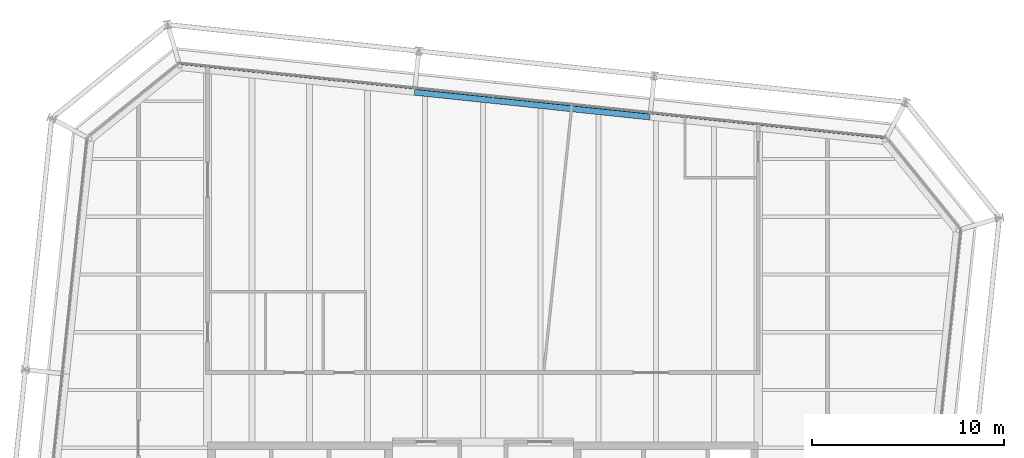
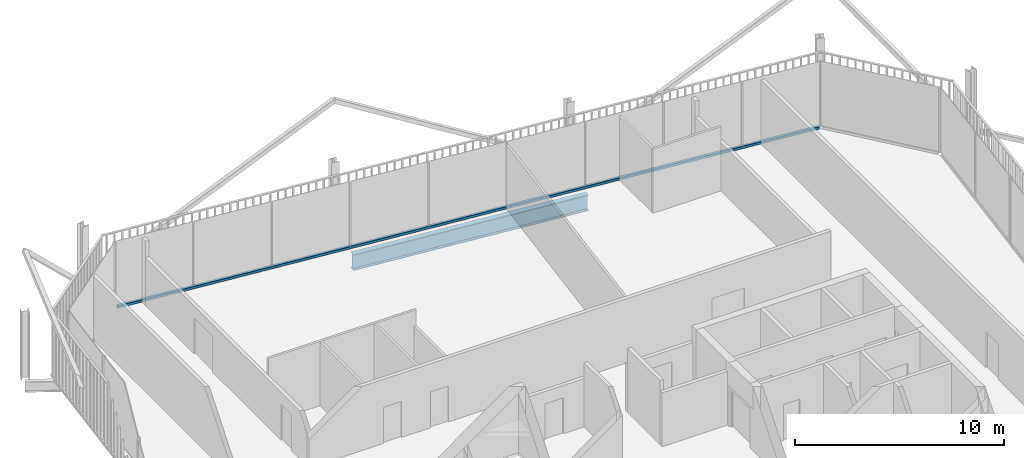
# One storey, part 13 of 21: 1 beam, 1 member, 1 element without a shape of its own.
"""IFC4 building model written with IfcOpenShell, lengths in metres."""

from ifc_helpers import new_model, si_unit, direction, frame, origin, origin_2d, place, context, subcontext, project, spatial, rectangle, i_section, extrude, material, layer, layer_set, material_profile, profile_set, type_object, element, aggregate, save


model = new_model("IFC4")

# Units and contexts
model_context = context("Model", 3, precision=1e-05, world=origin(), true_north=direction((0.0, 1.0)))
body_context = subcontext(model_context, "Body", "Model", "MODEL_VIEW")
ifc_project = project(units=[si_unit("LENGTHUNIT", "METRE"), si_unit("AREAUNIT", "SQUARE_METRE"), si_unit("VOLUMEUNIT", "CUBIC_METRE"), si_unit("PLANEANGLEUNIT", "RADIAN"), si_unit("MASSUNIT", "GRAM", prefix="KILO")], contexts=[model_context])

# Site, building, storey
site_placement = place(None, origin())
site = spatial("IfcSite", under=ifc_project, at=site_placement, CompositionType="ELEMENT")
building_placement = place(site_placement, origin())
building = spatial("IfcBuilding", under=site, at=building_placement, Name="Millrace Tower", CompositionType="ELEMENT")
storey_placement = place(building_placement, frame((0.0, 0.0, 291.60009765625)))
storey = spatial("IfcBuildingStorey", under=building, at=storey_placement, Name="L67", CompositionType="ELEMENT", Elevation=291.60009765625)

# Curtain wall, member
ifc_material_1 = material(Name="Aluminium and glass", Category="aluminium")
ifc_layer = layer(ifc_material_1, 0.14990234375)
ifc_layer_set = layer_set([ifc_layer], Name="Aluminium and glass")
curtain_wall_type = type_object("IfcCurtainWallType", Name="CW-1 office vision curtain wall", PredefinedType="NOTDEFINED", material=ifc_layer_set)
curtain_wall_placement = place(storey_placement, origin())
curtain_wall = element("IfcCurtainWall", 1, at=curtain_wall_placement, inside=storey, type_object=curtain_wall_type, Name="Curtain wall E-F06 L67", PredefinedType="NOTDEFINED")
ifc_material_2 = material(Name="Aluminium", Category="aluminium")
ifc_material_profile_1 = material_profile(ifc_material_2, rectangle(XDim=0.14990234375, YDim=0.139892578125, at=origin_2d()))
ifc_profile_set_1 = profile_set([ifc_material_profile_1], Name="Aluminium")
member_type = type_object("IfcMemberType", Name="CW-1 office vision curtain wall transom", PredefinedType="USERDEFINED", material=ifc_profile_set_1)
member_placement = place(storey_placement, frame((20.83544921875, 25.1318359375, 0.06982421875), z_axis=(-0.994521952886, 0.104527916025, 0.0), x_axis=(-0.104527916025, -0.994521952886, 0.0)))
member = element("IfcMember", 2, at=member_placement, type_object=member_type, Name="CW1 transom E-F06.1", ObjectType="TRANSOM", PredefinedType="USERDEFINED", context=body_context, shape_type="SweptSolid", body=[
    extrude(rectangle(XDim=0.14990234375, YDim=0.139892578125, at=origin_2d()), origin(), (0.0, 0.0, 1.0), 36.699951171875),
])
aggregate(curtain_wall, [member])

# Beam
ifc_material_3 = material(Name="Steel ASTM A992 Grade 50", Category="steel")
ifc_material_profile_2 = material_profile(ifc_material_3, i_section(OverallWidth=0.307373046875, OverallDepth=0.927001953125, WebThickness=0.01953125, FlangeThickness=0.031982421875, FilletRadius=0.01904296875, at=origin_2d()))
ifc_profile_set_2 = profile_set([ifc_material_profile_2], Name="Steel ASTM A992 Grade 50")
beam_type = type_object("IfcBeamType", Name="Ring beam medium span W36x194", PredefinedType="SPANDREL", material=ifc_profile_set_2)
beam_placement = place(storey_placement, frame((-3.554443359375, 27.46533203125, -0.62353515625), z_axis=(0.994522406476, -0.104523600289, 0.0), x_axis=(0.104523600289, 0.994522406476, 0.0)))
element("IfcBeam", 3, at=beam_placement, inside=storey, type_object=beam_type, Name="RNG-E-L67-S1-06", PredefinedType="SPANDREL", context=body_context, shape_type="SweptSolid", body=[
    extrude(i_section(OverallWidth=0.307373046875, OverallDepth=0.927001953125, WebThickness=0.01953125, FlangeThickness=0.031982421875, FilletRadius=0.01904296875, at=origin_2d()), origin(), (0.0, 0.0, 1.0), 12.300048828125),
])

save(model, "model.ifc")
